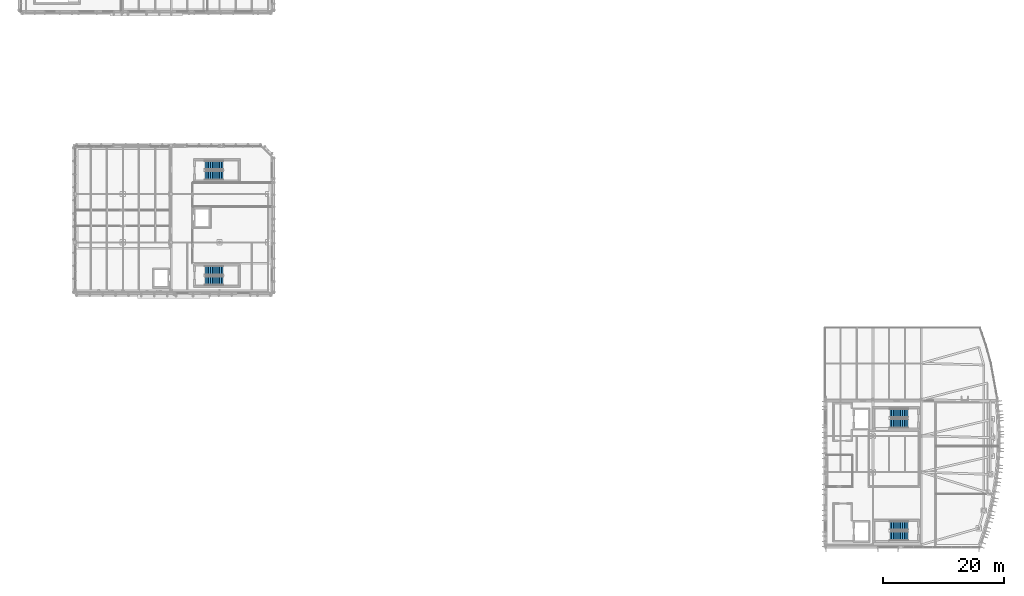
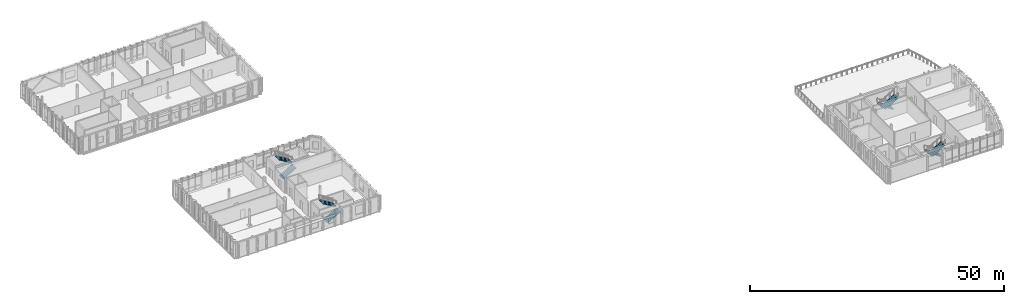
# One storey, part 31 of 40: 8 stair flights, 4 elements without a shape of their own.
"""IFC4 building model written with IfcOpenShell, lengths in metres."""

import ifcopenshell
import ifcopenshell.guid

model = None  # the IFC model being written
_history = None  # IfcOwnerHistory: only IFC2X3 demands one
_inside = {}  # id of a spatial element -> (the spatial element, [elements in it])
_under = {}  # id of a project, library or spatial element -> (it, [spatial elements below it])
_declared = {}  # id of a project -> (the project, [libraries it declares])
_typed = {}  # id of a type object -> (the type object, [elements of that type])
_made_of = {}  # id of a material, layer set ... -> (it, [elements and type objects made of it])


def new_model(schema):
    """Start an empty IFC model of exactly this schema.

    Asked for "IFC4X3", IfcOpenShell would pick the latest addendum, in which some entities
    have other attributes; the version numbers below select the first issue.
    IFC2X3 requires an IfcOwnerHistory on every rooted entity: one is made here for all.
    """
    global model, _history
    if schema == "IFC4X3":
        model = ifcopenshell.file(schema_version=(4, 3, 0, 0))
    else:
        model = ifcopenshell.file(schema=schema)
    _inside.clear()
    _under.clear()
    _declared.clear()
    _typed.clear()
    _made_of.clear()
    _history = None
    if model.schema == "IFC2X3":
        org = make("IfcOrganization", Name="unknown")
        user = make(
            "IfcPersonAndOrganization",
            ThePerson=make("IfcPerson", FamilyName="unknown"),
            TheOrganization=org,
        )
        app = make(
            "IfcApplication",
            ApplicationDeveloper=org,
            Version="unknown",
            ApplicationFullName="unknown",
            ApplicationIdentifier="unknown",
        )
        _history = make(
            "IfcOwnerHistory",
            OwningUser=user,
            OwningApplication=app,
            ChangeAction="ADDED",
            CreationDate=0,
        )
    return model


def make(cls, **values):
    """One entity of the class cls with the attributes given. An attribute that is None is left unset."""
    return model.create_entity(
        cls, **{name: value for name, value in values.items() if value is not None}
    )


def rooted(cls, **values):
    """An entity with a GlobalId (a new one), such as an element, a storey or a relation."""
    return make(cls, GlobalId=ifcopenshell.guid.new(), OwnerHistory=_history, **values)


def si_unit(unit_type, name, prefix=None):
    """IfcSIUnit, for example si_unit("LENGTHUNIT", "METRE", prefix="MILLI")."""
    return make("IfcSIUnit", UnitType=unit_type, Prefix=prefix, Name=name)


def assignment(units):
    """IfcUnitAssignment: the units of a project."""
    return None if units is None else make("IfcUnitAssignment", Units=units)


def point(xyz):
    """IfcCartesianPoint."""
    return None if xyz is None else make("IfcCartesianPoint", Coordinates=xyz)


def direction(xyz):
    """IfcDirection."""
    return None if xyz is None else make("IfcDirection", DirectionRatios=xyz)


def frame(location, z_axis=None, x_axis=None):
    """IfcAxis2Placement3D, a coordinate frame: its origin and axes. An axis left out is left unset."""
    return make(
        "IfcAxis2Placement3D",
        Location=point(location),
        Axis=direction(z_axis),
        RefDirection=direction(x_axis),
    )


def origin():
    """The frame at (0, 0, 0) with its axes left unset."""
    return frame((0.0, 0.0, 0.0))


def place(relative_to, where):
    """IfcLocalPlacement: puts the frame where relative to a parent placement (None: the world)."""
    return make(
        "IfcLocalPlacement", PlacementRelTo=relative_to, RelativePlacement=where
    )


def context(
    kind, dimensions, precision=None, world=None, true_north=None, identifier=None
):
    """IfcGeometricRepresentationContext, for example the 3D "Model" context."""
    return make(
        "IfcGeometricRepresentationContext",
        ContextIdentifier=identifier,
        ContextType=kind,
        CoordinateSpaceDimension=dimensions,
        Precision=precision,
        WorldCoordinateSystem=world,
        TrueNorth=true_north,
    )


def subcontext(parent, identifier, kind, view, scale=None):
    """IfcGeometricRepresentationSubContext, for example "Body" below "Model"."""
    return make(
        "IfcGeometricRepresentationSubContext",
        ContextIdentifier=identifier,
        ContextType=kind,
        ParentContext=parent,
        TargetScale=scale,
        TargetView=view,
    )


def project(units=None, contexts=None):
    """IfcProject with its units and contexts."""
    return rooted(
        "IfcProject",
        Name="project",
        RepresentationContexts=contexts,
        UnitsInContext=assignment(units),
    )


def spatial(cls, under=None, at=None, **own):
    """A site, building, storey or space (cls), placed at a placement, below another one or the project."""
    s = rooted(cls, ObjectPlacement=at, **own)
    if under is not None:
        _under.setdefault(under.id(), (under, []))[1].append(s)
    return s


def polyline(points):
    """IfcPolyline through the points."""
    return make("IfcPolyline", Points=[point(p) for p in points])


def outline(outer, holes=None, kind="AREA"):
    """IfcArbitraryClosedProfileDef: a profile drawn as a closed curve; with holes, ...WithVoids."""
    if holes is None:
        return make("IfcArbitraryClosedProfileDef", ProfileType=kind, OuterCurve=outer)
    return make(
        "IfcArbitraryProfileDefWithVoids",
        ProfileType=kind,
        OuterCurve=outer,
        InnerCurves=holes,
    )


def extrude(swept, where, along, depth):
    """IfcExtrudedAreaSolid: the profile swept, set in the frame where, extruded along a direction by depth."""
    return make(
        "IfcExtrudedAreaSolid",
        SweptArea=swept,
        Position=where,
        ExtrudedDirection=direction(along),
        Depth=depth,
    )


def shape(context_of_items, identifier, shape_type, items):
    """IfcShapeRepresentation: the items that make up one representation, for example the "Body"."""
    return make(
        "IfcShapeRepresentation",
        ContextOfItems=context_of_items,
        RepresentationIdentifier=identifier,
        RepresentationType=shape_type,
        Items=items,
    )


def material(Name=None, Category=None):
    """IfcMaterial."""
    return make("IfcMaterial", Name=Name, Category=Category)


def made_of(thing, what):
    """Note that an element or type object is made of a material, layer set ...; save() writes the relation."""
    if what is not None:
        _made_of.setdefault(what.id(), (what, []))[1].append(thing)
    return thing


def type_object(cls, material=None, **own):
    """A type object (cls), such as IfcWallType, which elements share."""
    return made_of(rooted(cls, **own), material)


def element(
    cls,
    number,
    at=None,
    inside=None,
    cuts=None,
    type_object=None,
    material=None,
    context=None,
    identifier="Body",
    shape_type=None,
    held_by="IfcProductDefinitionShape",
    body=None,
    shapes=None,
    **own,
):
    """One element of the class cls, such as IfcWall. Its Tag is "e" and its number.

    at: its placement. inside: the storey or other place that contains it. cuts: it is an
    opening in that element (IfcRelVoidsElement). A single representation is given by context,
    identifier, shape_type and body (its items); several are given by shapes. held_by: the class
    of the entity that holds the representations. save() writes the other relations.
    """
    e = rooted(cls, Tag="e%d" % number, ObjectPlacement=at, **own)
    if body is not None:
        shapes = [shape(context, identifier, shape_type, body)]
    if shapes is not None:
        e.Representation = make(held_by, Representations=shapes)
    if inside is not None:
        _inside.setdefault(inside.id(), (inside, []))[1].append(e)
    if cuts is not None:
        rooted(
            "IfcRelVoidsElement", RelatingBuildingElement=cuts, RelatedOpeningElement=e
        )
    if type_object is not None:
        _typed.setdefault(type_object.id(), (type_object, []))[1].append(e)
    return made_of(e, material)


def aggregate(whole, parts):
    """IfcRelAggregates: a whole, such as a stair, and the parts it consists of."""
    return rooted("IfcRelAggregates", RelatingObject=whole, RelatedObjects=parts)


def save(model, path):
    """Write the relations noted so far, then the file.

    IfcRelAggregates (storeys below a building ...), IfcRelContainedInSpatialStructure (elements
    in a storey), IfcRelDefinesByType, IfcRelAssociatesMaterial and IfcRelDeclares: one each for
    every whole, place, type object, material and project.
    """
    for whole, parts in _under.values():
        aggregate(whole, parts)
    for where, things in _inside.values():
        rooted(
            "IfcRelContainedInSpatialStructure",
            RelatedElements=things,
            RelatingStructure=where,
        )
    for kind, things in _typed.values():
        rooted("IfcRelDefinesByType", RelatedObjects=things, RelatingType=kind)
    for what, things in _made_of.values():
        rooted("IfcRelAssociatesMaterial", RelatedObjects=things, RelatingMaterial=what)
    for by, libraries in _declared.values():
        rooted("IfcRelDeclares", RelatingContext=by, RelatedDefinitions=libraries)
    model.write(path)


model = new_model("IFC4")

# Units and contexts
model_context = context("Model", 3, precision=1e-05, world=origin(), true_north=direction((0.0, 1.0)))
body_context = subcontext(model_context, "Body", "Model", "MODEL_VIEW")
ifc_project = project(units=[si_unit("LENGTHUNIT", "METRE"), si_unit("AREAUNIT", "SQUARE_METRE"), si_unit("VOLUMEUNIT", "CUBIC_METRE"), si_unit("PLANEANGLEUNIT", "RADIAN"), si_unit("MASSUNIT", "GRAM", prefix="KILO")], contexts=[model_context])

# Site, building, storey
site_placement = place(None, origin())
site = spatial("IfcSite", under=ifc_project, at=site_placement, CompositionType="ELEMENT")
building_placement = place(site_placement, origin())
building = spatial("IfcBuilding", under=site, at=building_placement, Name="Cymarion Research Institute", CompositionType="ELEMENT")
storey_placement = place(building_placement, frame((0.0, 0.0, 26.699951171875)))
storey = spatial("IfcBuildingStorey", under=building, at=storey_placement, Name="L06", CompositionType="ELEMENT", Elevation=26.699951171875)

# Stair, stair flights
ifc_material = material(Name="Concrete C35/45", Category="concrete")
stair_type = type_object("IfcStairType", Name="REINFORCED CONCRETE DOGLEG STAIR STR-3900", PredefinedType="HALF_TURN_STAIR", material=ifc_material)
stair_1_placement = place(storey_placement, origin())
stair_1 = element("IfcStair", 1, at=stair_1_placement, inside=storey, type_object=stair_type, Name="L06 Core C1 Smoke-Proof Exit Stair ST1", PredefinedType="HALF_TURN_STAIR")
stair_flight_type = type_object("IfcStairFlightType", Name="REINFORCED CONCRETE STAIR FLIGHT SFL-3900", PredefinedType="STRAIGHT", material=ifc_material)
stair_flight_1_placement = place(storey_placement, frame((152.39990234375, 8.639892578125, 0.0), z_axis=(0.0, 0.0, 1.0), x_axis=(-1.0, 0.0, 0.0)))
stair_flight_1 = element("IfcStairFlight", 2, at=stair_flight_1_placement, type_object=stair_flight_type, Name="ST1 flight 1", NumberOfRisers=11, NumberOfTreads=10, PredefinedType="STRAIGHT", RiserHeight=0.177272727, TreadLength=0.3, context=body_context, shape_type="SweptSolid", body=[
    extrude(outline(polyline([(0.0, 0.0), (0.0, 0.17724609375), (0.300048828125, 0.17724609375), (0.300048828125, 0.3544921875), (0.60009765625, 0.3544921875), (0.60009765625, 0.53173828125), (0.89990234375, 0.53173828125), (0.89990234375, 0.708984375), (1.199951171875, 0.708984375), (1.199951171875, 0.886474609375), (1.5, 0.886474609375), (1.5, 1.063720703125), (1.800048828125, 1.063720703125), (1.800048828125, 1.240966796875), (2.10009765625, 1.240966796875), (2.10009765625, 1.418212890625), (2.39990234375, 1.418212890625), (2.39990234375, 1.595458984375), (2.699951171875, 1.595458984375), (2.699951171875, 1.772705078125), (3.0, 1.772705078125), (3.0, 1.949951171875), (3.0, 1.5986328125), (0.294677734375, 0.0), (0.0, 0.0)])), frame((0.0, 0.760009765625, 0.0), z_axis=(0.0, -1.0, 0.0), x_axis=(1.0, 0.0, 0.0)), (0.0, 0.0, 1.0), 1.52001953125),
])
stair_flight_2_placement = place(storey_placement, frame((149.39990234375, 6.9599609375, 1.949951171875), z_axis=(0.0, 0.0, 1.0), x_axis=(1.0, 0.0, 0.0)))
stair_flight_2 = element("IfcStairFlight", 3, at=stair_flight_2_placement, type_object=stair_flight_type, Name="ST1 flight 2", NumberOfRisers=11, NumberOfTreads=10, PredefinedType="STRAIGHT", RiserHeight=0.177272727, TreadLength=0.3, context=body_context, shape_type="SweptSolid", body=[
    extrude(outline(polyline([(0.0, 0.0), (0.0, 0.17724609375), (0.300048828125, 0.17724609375), (0.300048828125, 0.3544921875), (0.60009765625, 0.3544921875), (0.60009765625, 0.53173828125), (0.89990234375, 0.53173828125), (0.89990234375, 0.708984375), (1.199951171875, 0.708984375), (1.199951171875, 0.886474609375), (1.5, 0.886474609375), (1.5, 1.063720703125), (1.800048828125, 1.063720703125), (1.800048828125, 1.240966796875), (2.10009765625, 1.240966796875), (2.10009765625, 1.418212890625), (2.39990234375, 1.418212890625), (2.39990234375, 1.595458984375), (2.699951171875, 1.595458984375), (2.699951171875, 1.772705078125), (3.0, 1.772705078125), (3.0, 1.949951171875), (3.0, 1.5986328125), (0.294677734375, 0.0), (0.0, 0.0)])), frame((0.0, 0.760009765625, 0.0), z_axis=(0.0, -1.0, 0.0), x_axis=(1.0, 0.0, 0.0)), (0.0, 0.0, 1.0), 1.52001953125),
])
aggregate(stair_1, [stair_flight_1, stair_flight_2])

stair_2_placement = place(storey_placement, origin())
stair_2 = element("IfcStair", 4, at=stair_2_placement, inside=storey, type_object=stair_type, Name="L06 Core C2 Smoke-Proof Exit Stair ST2", PredefinedType="HALF_TURN_STAIR")
stair_flight_3_placement = place(storey_placement, frame((152.39990234375, 27.239990234375, 0.0), z_axis=(0.0, 0.0, 1.0), x_axis=(-1.0, 0.0, 0.0)))
stair_flight_3 = element("IfcStairFlight", 5, at=stair_flight_3_placement, type_object=stair_flight_type, Name="ST2 flight 1", NumberOfRisers=11, NumberOfTreads=10, PredefinedType="STRAIGHT", RiserHeight=0.177272727, TreadLength=0.3, context=body_context, shape_type="SweptSolid", body=[
    extrude(outline(polyline([(0.0, 0.0), (0.0, 0.17724609375), (0.300048828125, 0.17724609375), (0.300048828125, 0.3544921875), (0.60009765625, 0.3544921875), (0.60009765625, 0.53173828125), (0.89990234375, 0.53173828125), (0.89990234375, 0.708984375), (1.199951171875, 0.708984375), (1.199951171875, 0.886474609375), (1.5, 0.886474609375), (1.5, 1.063720703125), (1.800048828125, 1.063720703125), (1.800048828125, 1.240966796875), (2.10009765625, 1.240966796875), (2.10009765625, 1.418212890625), (2.39990234375, 1.418212890625), (2.39990234375, 1.595458984375), (2.699951171875, 1.595458984375), (2.699951171875, 1.772705078125), (3.0, 1.772705078125), (3.0, 1.949951171875), (3.0, 1.5986328125), (0.294677734375, 0.0), (0.0, 0.0)])), frame((0.0, 0.760009765625, 0.0), z_axis=(0.0, -1.0, 0.0), x_axis=(1.0, 0.0, 0.0)), (0.0, 0.0, 1.0), 1.52001953125),
])
stair_flight_4_placement = place(storey_placement, frame((149.39990234375, 25.56005859375, 1.949951171875), z_axis=(0.0, 0.0, 1.0), x_axis=(1.0, 0.0, 0.0)))
stair_flight_4 = element("IfcStairFlight", 6, at=stair_flight_4_placement, type_object=stair_flight_type, Name="ST2 flight 2", NumberOfRisers=11, NumberOfTreads=10, PredefinedType="STRAIGHT", RiserHeight=0.177272727, TreadLength=0.3, context=body_context, shape_type="SweptSolid", body=[
    extrude(outline(polyline([(0.0, 0.0), (0.0, 0.17724609375), (0.300048828125, 0.17724609375), (0.300048828125, 0.3544921875), (0.60009765625, 0.3544921875), (0.60009765625, 0.53173828125), (0.89990234375, 0.53173828125), (0.89990234375, 0.708984375), (1.199951171875, 0.708984375), (1.199951171875, 0.886474609375), (1.5, 0.886474609375), (1.5, 1.063720703125), (1.800048828125, 1.063720703125), (1.800048828125, 1.240966796875), (2.10009765625, 1.240966796875), (2.10009765625, 1.418212890625), (2.39990234375, 1.418212890625), (2.39990234375, 1.595458984375), (2.699951171875, 1.595458984375), (2.699951171875, 1.772705078125), (3.0, 1.772705078125), (3.0, 1.949951171875), (3.0, 1.5986328125), (0.294677734375, 0.0), (0.0, 0.0)])), frame((0.0, 0.760009765625, 0.0), z_axis=(0.0, -1.0, 0.0), x_axis=(1.0, 0.0, 0.0)), (0.0, 0.0, 1.0), 1.52001953125),
])
aggregate(stair_2, [stair_flight_3, stair_flight_4])

stair_3_placement = place(storey_placement, origin())
stair_3 = element("IfcStair", 7, at=stair_3_placement, inside=storey, type_object=stair_type, Name="L06 Core C7 Smoke-Proof Exit Stair ST7", PredefinedType="HALF_TURN_STAIR")
stair_flight_5_placement = place(storey_placement, frame((36.199951171875, 49.159912109375, 0.0), z_axis=(0.0, 0.0, 1.0), x_axis=(1.0, 0.0, 0.0)))
stair_flight_5 = element("IfcStairFlight", 8, at=stair_flight_5_placement, type_object=stair_flight_type, Name="ST7 flight 1", NumberOfRisers=11, NumberOfTreads=10, PredefinedType="STRAIGHT", RiserHeight=0.177272727, TreadLength=0.3, context=body_context, shape_type="SweptSolid", body=[
    extrude(outline(polyline([(0.0, 0.0), (0.0, 0.17724609375), (0.300048828125, 0.17724609375), (0.300048828125, 0.3544921875), (0.60009765625, 0.3544921875), (0.60009765625, 0.53173828125), (0.89990234375, 0.53173828125), (0.89990234375, 0.708984375), (1.199951171875, 0.708984375), (1.199951171875, 0.886474609375), (1.5, 0.886474609375), (1.5, 1.063720703125), (1.800048828125, 1.063720703125), (1.800048828125, 1.240966796875), (2.10009765625, 1.240966796875), (2.10009765625, 1.418212890625), (2.39990234375, 1.418212890625), (2.39990234375, 1.595458984375), (2.699951171875, 1.595458984375), (2.699951171875, 1.772705078125), (3.0, 1.772705078125), (3.0, 1.949951171875), (3.0, 1.5986328125), (0.294677734375, 0.0), (0.0, 0.0)])), frame((0.0, 0.760009765625, 0.0), z_axis=(0.0, -1.0, 0.0), x_axis=(1.0, 0.0, 0.0)), (0.0, 0.0, 1.0), 1.52001953125),
])
stair_flight_6_placement = place(storey_placement, frame((39.199951171875, 50.840087890625, 1.949951171875), z_axis=(0.0, 0.0, 1.0), x_axis=(-1.0, 0.0, 0.0)))
stair_flight_6 = element("IfcStairFlight", 9, at=stair_flight_6_placement, type_object=stair_flight_type, Name="ST7 flight 2", NumberOfRisers=11, NumberOfTreads=10, PredefinedType="STRAIGHT", RiserHeight=0.177272727, TreadLength=0.3, context=body_context, shape_type="SweptSolid", body=[
    extrude(outline(polyline([(0.0, 0.0), (0.0, 0.17724609375), (0.300048828125, 0.17724609375), (0.300048828125, 0.3544921875), (0.60009765625, 0.3544921875), (0.60009765625, 0.53173828125), (0.89990234375, 0.53173828125), (0.89990234375, 0.708984375), (1.199951171875, 0.708984375), (1.199951171875, 0.886474609375), (1.5, 0.886474609375), (1.5, 1.063720703125), (1.800048828125, 1.063720703125), (1.800048828125, 1.240966796875), (2.10009765625, 1.240966796875), (2.10009765625, 1.418212890625), (2.39990234375, 1.418212890625), (2.39990234375, 1.595458984375), (2.699951171875, 1.595458984375), (2.699951171875, 1.772705078125), (3.0, 1.772705078125), (3.0, 1.949951171875), (3.0, 1.5986328125), (0.294677734375, 0.0), (0.0, 0.0)])), frame((0.0, 0.760009765625, 0.0), z_axis=(0.0, -1.0, 0.0), x_axis=(1.0, 0.0, 0.0)), (0.0, 0.0, 1.0), 1.52001953125),
])
aggregate(stair_3, [stair_flight_5, stair_flight_6])

stair_4_placement = place(storey_placement, origin())
stair_4 = element("IfcStair", 10, at=stair_4_placement, inside=storey, type_object=stair_type, Name="L06 Core C8 Smoke-Proof Exit Stair ST8", PredefinedType="HALF_TURN_STAIR")
stair_flight_7_placement = place(storey_placement, frame((36.199951171875, 66.56005859375, 0.0), z_axis=(0.0, 0.0, 1.0), x_axis=(1.0, 0.0, 0.0)))
stair_flight_7 = element("IfcStairFlight", 11, at=stair_flight_7_placement, type_object=stair_flight_type, Name="ST8 flight 1", NumberOfRisers=11, NumberOfTreads=10, PredefinedType="STRAIGHT", RiserHeight=0.177272727, TreadLength=0.3, context=body_context, shape_type="SweptSolid", body=[
    extrude(outline(polyline([(0.0, 0.0), (0.0, 0.17724609375), (0.300048828125, 0.17724609375), (0.300048828125, 0.3544921875), (0.60009765625, 0.3544921875), (0.60009765625, 0.53173828125), (0.89990234375, 0.53173828125), (0.89990234375, 0.708984375), (1.199951171875, 0.708984375), (1.199951171875, 0.886474609375), (1.5, 0.886474609375), (1.5, 1.063720703125), (1.800048828125, 1.063720703125), (1.800048828125, 1.240966796875), (2.10009765625, 1.240966796875), (2.10009765625, 1.418212890625), (2.39990234375, 1.418212890625), (2.39990234375, 1.595458984375), (2.699951171875, 1.595458984375), (2.699951171875, 1.772705078125), (3.0, 1.772705078125), (3.0, 1.949951171875), (3.0, 1.5986328125), (0.294677734375, 0.0), (0.0, 0.0)])), frame((0.0, 0.760009765625, 0.0), z_axis=(0.0, -1.0, 0.0), x_axis=(1.0, 0.0, 0.0)), (0.0, 0.0, 1.0), 1.52001953125),
])
stair_flight_8_placement = place(storey_placement, frame((39.199951171875, 68.239990234375, 1.949951171875), z_axis=(0.0, 0.0, 1.0), x_axis=(-1.0, 0.0, 0.0)))
stair_flight_8 = element("IfcStairFlight", 12, at=stair_flight_8_placement, type_object=stair_flight_type, Name="ST8 flight 2", NumberOfRisers=11, NumberOfTreads=10, PredefinedType="STRAIGHT", RiserHeight=0.177272727, TreadLength=0.3, context=body_context, shape_type="SweptSolid", body=[
    extrude(outline(polyline([(0.0, 0.0), (0.0, 0.17724609375), (0.300048828125, 0.17724609375), (0.300048828125, 0.3544921875), (0.60009765625, 0.3544921875), (0.60009765625, 0.53173828125), (0.89990234375, 0.53173828125), (0.89990234375, 0.708984375), (1.199951171875, 0.708984375), (1.199951171875, 0.886474609375), (1.5, 0.886474609375), (1.5, 1.063720703125), (1.800048828125, 1.063720703125), (1.800048828125, 1.240966796875), (2.10009765625, 1.240966796875), (2.10009765625, 1.418212890625), (2.39990234375, 1.418212890625), (2.39990234375, 1.595458984375), (2.699951171875, 1.595458984375), (2.699951171875, 1.772705078125), (3.0, 1.772705078125), (3.0, 1.949951171875), (3.0, 1.5986328125), (0.294677734375, 0.0), (0.0, 0.0)])), frame((0.0, 0.760009765625, 0.0), z_axis=(0.0, -1.0, 0.0), x_axis=(1.0, 0.0, 0.0)), (0.0, 0.0, 1.0), 1.52001953125),
])
aggregate(stair_4, [stair_flight_7, stair_flight_8])

save(model, "model.ifc")
